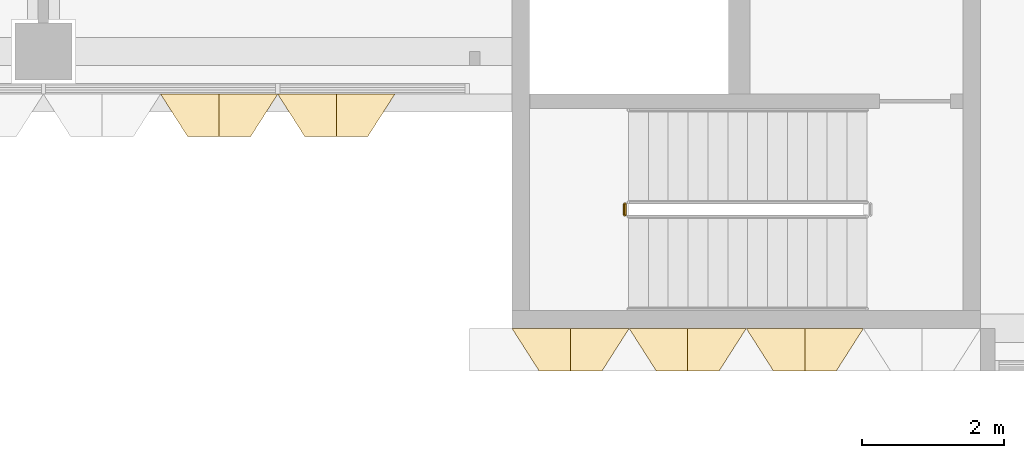
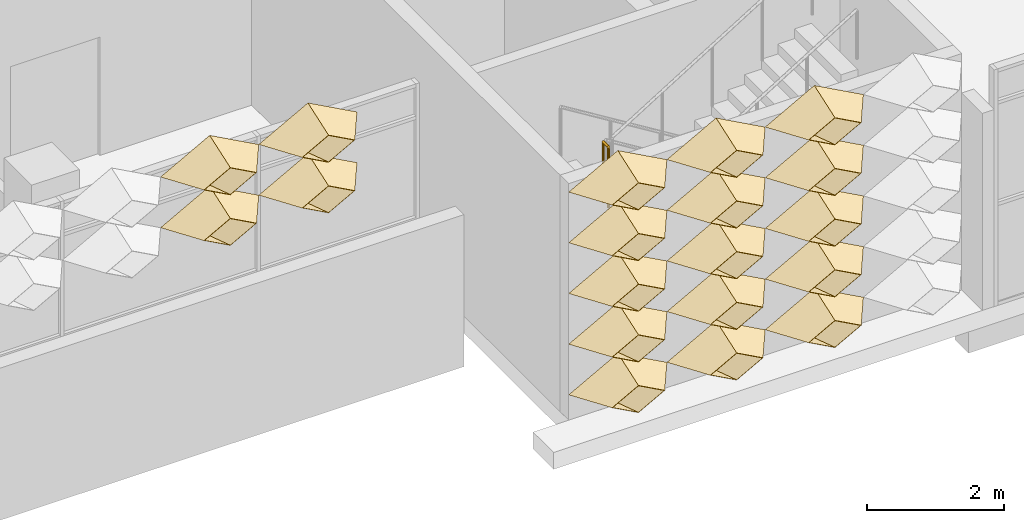
# One storey, part 62 of 102: 19 coverings, 1 railing.
"""IFC4 building model written with IfcOpenShell, lengths in metres."""

from ifc_helpers import new_model, entity, si_unit, direction, frame, origin, origin_2d, place, context, subcontext, project, spatial, circle, extrude, material, layer, layer_set, type_object, element, save


model = new_model("IFC4")

# Units and contexts
model_context = context("Model", 3, precision=1e-05, world=origin(), true_north=direction((0.0, 1.0)))
body_context = subcontext(model_context, "Body", "Model", "MODEL_VIEW")
ifc_project = project(units=[si_unit("LENGTHUNIT", "METRE"), si_unit("AREAUNIT", "SQUARE_METRE"), si_unit("VOLUMEUNIT", "CUBIC_METRE"), si_unit("PLANEANGLEUNIT", "RADIAN"), si_unit("MASSUNIT", "GRAM", prefix="KILO")], contexts=[model_context])

# Site, building, storey
site_placement = place(None, origin())
site = spatial("IfcSite", under=ifc_project, at=site_placement, CompositionType="ELEMENT")
building_placement = place(site_placement, origin())
building = spatial("IfcBuilding", under=site, at=building_placement, Name="Lantern Court Research Institute", CompositionType="ELEMENT")
storey_placement = place(building_placement, frame((0.0, 0.0, 9.89990234375)))
storey = spatial("IfcBuildingStorey", under=building, at=storey_placement, Name="L02", CompositionType="ELEMENT", Elevation=9.89990234375)

# Coverings
ifc_material_1 = material(Name="Anodised aluminium", Category="aluminium")
ifc_layer = layer(ifc_material_1, 0.01611328125)
ifc_layer_set = layer_set([ifc_layer], Name="Anodised aluminium")
covering_type = type_object("IfcCoveringType", Name="Fin cassette 1650 x 900 x 600 aluminium", PredefinedType="CLADDING", material=ifc_layer_set)
covering_1_placement = place(storey_placement, frame((48.675048828125, -4.5, 3.150146484375), z_axis=(0.0, -1.0, 0.0), x_axis=(1.0, 0.0, 0.0)))
cartesian_point_1 = entity("IfcCartesianPoint", [0.824951171875, 0.0])
cartesian_point_2 = entity("IfcCartesianPoint", [0.79150390625, 0.0])
cartesian_point_3 = entity("IfcCartesianPoint", [0.44189453125, 0.0])
cartesian_point_4 = entity("IfcCartesianPoint", [0.43359375, 0.0])
element("IfcCovering", 1, at=covering_1_placement, inside=storey, type_object=covering_type, Name="Fin cassette V4S-L02 4.30", PredefinedType="CLADDING", context=body_context, shape_type="SweptSolid", body=[
    entity("IfcExtrudedAreaSolidTapered", entity("IfcArbitraryProfileDefWithVoids", "AREA", None, entity("IfcPolyline", [cartesian_point_1, entity("IfcCartesianPoint", [0.0, 0.449951171875]), entity("IfcCartesianPoint", [-0.824951171875, 0.0]), entity("IfcCartesianPoint", [0.0, -0.449951171875]), cartesian_point_1]), [entity("IfcPolyline", [cartesian_point_2, entity("IfcCartesianPoint", [0.0, 0.431884765625]), entity("IfcCartesianPoint", [-0.79150390625, 0.0]), entity("IfcCartesianPoint", [0.0, -0.431884765625]), cartesian_point_2])]), entity("IfcAxis2Placement3D", entity("IfcCartesianPoint", [0.0, 0.0, 0.0])), entity("IfcDirection", [0.0, 0.0, 1.0]), 0.60009765625, entity("IfcArbitraryProfileDefWithVoids", "AREA", None, entity("IfcPolyline", [cartesian_point_3, entity("IfcCartesianPoint", [0.0, 0.240966796875]), entity("IfcCartesianPoint", [-0.44189453125, 0.0]), entity("IfcCartesianPoint", [0.0, -0.240966796875]), cartesian_point_3]), [entity("IfcPolyline", [cartesian_point_4, entity("IfcCartesianPoint", [0.0, 0.236572265625]), entity("IfcCartesianPoint", [-0.43359375, 0.0]), entity("IfcCartesianPoint", [0.0, -0.236572265625]), cartesian_point_4])])),
])
covering_2_placement = place(storey_placement, frame((50.324951171875, -4.5, 3.150146484375), z_axis=(0.0, -1.0, 0.0), x_axis=(1.0, 0.0, 0.0)))
cartesian_point_5 = entity("IfcCartesianPoint", [0.824951171875, 0.0])
cartesian_point_6 = entity("IfcCartesianPoint", [0.79150390625, 0.0])
cartesian_point_7 = entity("IfcCartesianPoint", [0.44189453125, 0.0])
cartesian_point_8 = entity("IfcCartesianPoint", [0.43359375, 0.0])
element("IfcCovering", 2, at=covering_2_placement, inside=storey, type_object=covering_type, Name="Fin cassette V4S-L02 4.31", PredefinedType="CLADDING", context=body_context, shape_type="SweptSolid", body=[
    entity("IfcExtrudedAreaSolidTapered", entity("IfcArbitraryProfileDefWithVoids", "AREA", None, entity("IfcPolyline", [cartesian_point_5, entity("IfcCartesianPoint", [0.0, 0.449951171875]), entity("IfcCartesianPoint", [-0.824951171875, 0.0]), entity("IfcCartesianPoint", [0.0, -0.449951171875]), cartesian_point_5]), [entity("IfcPolyline", [cartesian_point_6, entity("IfcCartesianPoint", [0.0, 0.431884765625]), entity("IfcCartesianPoint", [-0.79150390625, 0.0]), entity("IfcCartesianPoint", [0.0, -0.431884765625]), cartesian_point_6])]), entity("IfcAxis2Placement3D", entity("IfcCartesianPoint", [0.0, 0.0, 0.0])), entity("IfcDirection", [0.0, 0.0, 1.0]), 0.60009765625, entity("IfcArbitraryProfileDefWithVoids", "AREA", None, entity("IfcPolyline", [cartesian_point_7, entity("IfcCartesianPoint", [0.0, 0.240966796875]), entity("IfcCartesianPoint", [-0.44189453125, 0.0]), entity("IfcCartesianPoint", [0.0, -0.240966796875]), cartesian_point_7]), [entity("IfcPolyline", [cartesian_point_8, entity("IfcCartesianPoint", [0.0, 0.236572265625]), entity("IfcCartesianPoint", [-0.43359375, 0.0]), entity("IfcCartesianPoint", [0.0, -0.236572265625]), cartesian_point_8])])),
])
covering_3_placement = place(storey_placement, frame((48.675048828125, -4.5, 4.050048828125), z_axis=(0.0, -1.0, 0.0), x_axis=(1.0, 0.0, 0.0)))
cartesian_point_9 = entity("IfcCartesianPoint", [0.824951171875, 0.0])
cartesian_point_10 = entity("IfcCartesianPoint", [0.79150390625, 0.0])
cartesian_point_11 = entity("IfcCartesianPoint", [0.44189453125, 0.0])
cartesian_point_12 = entity("IfcCartesianPoint", [0.43359375, 0.0])
element("IfcCovering", 3, at=covering_3_placement, inside=storey, type_object=covering_type, Name="Fin cassette V4S-L02 5.30", PredefinedType="CLADDING", context=body_context, shape_type="SweptSolid", body=[
    entity("IfcExtrudedAreaSolidTapered", entity("IfcArbitraryProfileDefWithVoids", "AREA", None, entity("IfcPolyline", [cartesian_point_9, entity("IfcCartesianPoint", [0.0, 0.449951171875]), entity("IfcCartesianPoint", [-0.824951171875, 0.0]), entity("IfcCartesianPoint", [0.0, -0.449951171875]), cartesian_point_9]), [entity("IfcPolyline", [cartesian_point_10, entity("IfcCartesianPoint", [0.0, 0.431884765625]), entity("IfcCartesianPoint", [-0.79150390625, 0.0]), entity("IfcCartesianPoint", [0.0, -0.431884765625]), cartesian_point_10])]), entity("IfcAxis2Placement3D", entity("IfcCartesianPoint", [0.0, 0.0, 0.0])), entity("IfcDirection", [0.0, 0.0, 1.0]), 0.60009765625, entity("IfcArbitraryProfileDefWithVoids", "AREA", None, entity("IfcPolyline", [cartesian_point_11, entity("IfcCartesianPoint", [0.0, 0.240966796875]), entity("IfcCartesianPoint", [-0.44189453125, 0.0]), entity("IfcCartesianPoint", [0.0, -0.240966796875]), cartesian_point_11]), [entity("IfcPolyline", [cartesian_point_12, entity("IfcCartesianPoint", [0.0, 0.236572265625]), entity("IfcCartesianPoint", [-0.43359375, 0.0]), entity("IfcCartesianPoint", [0.0, -0.236572265625]), cartesian_point_12])])),
])
covering_4_placement = place(storey_placement, frame((50.324951171875, -4.5, 4.050048828125), z_axis=(0.0, -1.0, 0.0), x_axis=(1.0, 0.0, 0.0)))
cartesian_point_13 = entity("IfcCartesianPoint", [0.824951171875, 0.0])
cartesian_point_14 = entity("IfcCartesianPoint", [0.79150390625, 0.0])
cartesian_point_15 = entity("IfcCartesianPoint", [0.44189453125, 0.0])
cartesian_point_16 = entity("IfcCartesianPoint", [0.43359375, 0.0])
element("IfcCovering", 4, at=covering_4_placement, inside=storey, type_object=covering_type, Name="Fin cassette V4S-L02 5.31", PredefinedType="CLADDING", context=body_context, shape_type="SweptSolid", body=[
    entity("IfcExtrudedAreaSolidTapered", entity("IfcArbitraryProfileDefWithVoids", "AREA", None, entity("IfcPolyline", [cartesian_point_13, entity("IfcCartesianPoint", [0.0, 0.449951171875]), entity("IfcCartesianPoint", [-0.824951171875, 0.0]), entity("IfcCartesianPoint", [0.0, -0.449951171875]), cartesian_point_13]), [entity("IfcPolyline", [cartesian_point_14, entity("IfcCartesianPoint", [0.0, 0.431884765625]), entity("IfcCartesianPoint", [-0.79150390625, 0.0]), entity("IfcCartesianPoint", [0.0, -0.431884765625]), cartesian_point_14])]), entity("IfcAxis2Placement3D", entity("IfcCartesianPoint", [0.0, 0.0, 0.0])), entity("IfcDirection", [0.0, 0.0, 1.0]), 0.60009765625, entity("IfcArbitraryProfileDefWithVoids", "AREA", None, entity("IfcPolyline", [cartesian_point_15, entity("IfcCartesianPoint", [0.0, 0.240966796875]), entity("IfcCartesianPoint", [-0.44189453125, 0.0]), entity("IfcCartesianPoint", [0.0, -0.240966796875]), cartesian_point_15]), [entity("IfcPolyline", [cartesian_point_16, entity("IfcCartesianPoint", [0.0, 0.236572265625]), entity("IfcCartesianPoint", [-0.43359375, 0.0]), entity("IfcCartesianPoint", [0.0, -0.236572265625]), cartesian_point_16])])),
])
covering_5_placement = place(storey_placement, frame((53.625, -7.800048828125, 0.4501953125), z_axis=(0.0, -1.0, 0.0), x_axis=(1.0, 0.0, 0.0)))
cartesian_point_17 = entity("IfcCartesianPoint", [0.824951171875, 0.0])
cartesian_point_18 = entity("IfcCartesianPoint", [0.79150390625, 0.0])
cartesian_point_19 = entity("IfcCartesianPoint", [0.44189453125, 0.0])
cartesian_point_20 = entity("IfcCartesianPoint", [0.43359375, 0.0])
element("IfcCovering", 5, at=covering_5_placement, inside=storey, type_object=covering_type, Name="Fin cassette V5S-L02 1.33", PredefinedType="CLADDING", context=body_context, shape_type="SweptSolid", body=[
    entity("IfcExtrudedAreaSolidTapered", entity("IfcArbitraryProfileDefWithVoids", "AREA", None, entity("IfcPolyline", [cartesian_point_17, entity("IfcCartesianPoint", [0.0, 0.449951171875]), entity("IfcCartesianPoint", [-0.824951171875, 0.0]), entity("IfcCartesianPoint", [0.0, -0.449951171875]), cartesian_point_17]), [entity("IfcPolyline", [cartesian_point_18, entity("IfcCartesianPoint", [0.0, 0.431884765625]), entity("IfcCartesianPoint", [-0.79150390625, 0.0]), entity("IfcCartesianPoint", [0.0, -0.431884765625]), cartesian_point_18])]), entity("IfcAxis2Placement3D", entity("IfcCartesianPoint", [0.0, 0.0, 0.0])), entity("IfcDirection", [0.0, 0.0, 1.0]), 0.60009765625, entity("IfcArbitraryProfileDefWithVoids", "AREA", None, entity("IfcPolyline", [cartesian_point_19, entity("IfcCartesianPoint", [0.0, 0.240966796875]), entity("IfcCartesianPoint", [-0.44189453125, 0.0]), entity("IfcCartesianPoint", [0.0, -0.240966796875]), cartesian_point_19]), [entity("IfcPolyline", [cartesian_point_20, entity("IfcCartesianPoint", [0.0, 0.236572265625]), entity("IfcCartesianPoint", [-0.43359375, 0.0]), entity("IfcCartesianPoint", [0.0, -0.236572265625]), cartesian_point_20])])),
])
covering_6_placement = place(storey_placement, frame((55.27490234375, -7.800048828125, 0.4501953125), z_axis=(0.0, -1.0, 0.0), x_axis=(1.0, 0.0, 0.0)))
cartesian_point_21 = entity("IfcCartesianPoint", [0.824951171875, 0.0])
cartesian_point_22 = entity("IfcCartesianPoint", [0.79150390625, 0.0])
cartesian_point_23 = entity("IfcCartesianPoint", [0.44189453125, 0.0])
cartesian_point_24 = entity("IfcCartesianPoint", [0.43359375, 0.0])
element("IfcCovering", 6, at=covering_6_placement, inside=storey, type_object=covering_type, Name="Fin cassette V5S-L02 1.34", PredefinedType="CLADDING", context=body_context, shape_type="SweptSolid", body=[
    entity("IfcExtrudedAreaSolidTapered", entity("IfcArbitraryProfileDefWithVoids", "AREA", None, entity("IfcPolyline", [cartesian_point_21, entity("IfcCartesianPoint", [0.0, 0.449951171875]), entity("IfcCartesianPoint", [-0.824951171875, 0.0]), entity("IfcCartesianPoint", [0.0, -0.449951171875]), cartesian_point_21]), [entity("IfcPolyline", [cartesian_point_22, entity("IfcCartesianPoint", [0.0, 0.431884765625]), entity("IfcCartesianPoint", [-0.79150390625, 0.0]), entity("IfcCartesianPoint", [0.0, -0.431884765625]), cartesian_point_22])]), entity("IfcAxis2Placement3D", entity("IfcCartesianPoint", [0.0, 0.0, 0.0])), entity("IfcDirection", [0.0, 0.0, 1.0]), 0.60009765625, entity("IfcArbitraryProfileDefWithVoids", "AREA", None, entity("IfcPolyline", [cartesian_point_23, entity("IfcCartesianPoint", [0.0, 0.240966796875]), entity("IfcCartesianPoint", [-0.44189453125, 0.0]), entity("IfcCartesianPoint", [0.0, -0.240966796875]), cartesian_point_23]), [entity("IfcPolyline", [cartesian_point_24, entity("IfcCartesianPoint", [0.0, 0.236572265625]), entity("IfcCartesianPoint", [-0.43359375, 0.0]), entity("IfcCartesianPoint", [0.0, -0.236572265625]), cartesian_point_24])])),
])
covering_7_placement = place(storey_placement, frame((56.925048828125, -7.800048828125, 0.4501953125), z_axis=(0.0, -1.0, 0.0), x_axis=(1.0, 0.0, 0.0)))
cartesian_point_25 = entity("IfcCartesianPoint", [0.824951171875, 0.0])
cartesian_point_26 = entity("IfcCartesianPoint", [0.79150390625, 0.0])
cartesian_point_27 = entity("IfcCartesianPoint", [0.44189453125, 0.0])
cartesian_point_28 = entity("IfcCartesianPoint", [0.43359375, 0.0])
element("IfcCovering", 7, at=covering_7_placement, inside=storey, type_object=covering_type, Name="Fin cassette V5S-L02 1.35", PredefinedType="CLADDING", context=body_context, shape_type="SweptSolid", body=[
    entity("IfcExtrudedAreaSolidTapered", entity("IfcArbitraryProfileDefWithVoids", "AREA", None, entity("IfcPolyline", [cartesian_point_25, entity("IfcCartesianPoint", [0.0, 0.449951171875]), entity("IfcCartesianPoint", [-0.824951171875, 0.0]), entity("IfcCartesianPoint", [0.0, -0.449951171875]), cartesian_point_25]), [entity("IfcPolyline", [cartesian_point_26, entity("IfcCartesianPoint", [0.0, 0.431884765625]), entity("IfcCartesianPoint", [-0.79150390625, 0.0]), entity("IfcCartesianPoint", [0.0, -0.431884765625]), cartesian_point_26])]), entity("IfcAxis2Placement3D", entity("IfcCartesianPoint", [0.0, 0.0, 0.0])), entity("IfcDirection", [0.0, 0.0, 1.0]), 0.60009765625, entity("IfcArbitraryProfileDefWithVoids", "AREA", None, entity("IfcPolyline", [cartesian_point_27, entity("IfcCartesianPoint", [0.0, 0.240966796875]), entity("IfcCartesianPoint", [-0.44189453125, 0.0]), entity("IfcCartesianPoint", [0.0, -0.240966796875]), cartesian_point_27]), [entity("IfcPolyline", [cartesian_point_28, entity("IfcCartesianPoint", [0.0, 0.236572265625]), entity("IfcCartesianPoint", [-0.43359375, 0.0]), entity("IfcCartesianPoint", [0.0, -0.236572265625]), cartesian_point_28])])),
])
covering_8_placement = place(storey_placement, frame((53.625, -7.800048828125, 1.35009765625), z_axis=(0.0, -1.0, 0.0), x_axis=(1.0, 0.0, 0.0)))
cartesian_point_29 = entity("IfcCartesianPoint", [0.824951171875, 0.0])
cartesian_point_30 = entity("IfcCartesianPoint", [0.79150390625, 0.0])
cartesian_point_31 = entity("IfcCartesianPoint", [0.44189453125, 0.0])
cartesian_point_32 = entity("IfcCartesianPoint", [0.43359375, 0.0])
element("IfcCovering", 8, at=covering_8_placement, inside=storey, type_object=covering_type, Name="Fin cassette V5S-L02 2.33", PredefinedType="CLADDING", context=body_context, shape_type="SweptSolid", body=[
    entity("IfcExtrudedAreaSolidTapered", entity("IfcArbitraryProfileDefWithVoids", "AREA", None, entity("IfcPolyline", [cartesian_point_29, entity("IfcCartesianPoint", [0.0, 0.449951171875]), entity("IfcCartesianPoint", [-0.824951171875, 0.0]), entity("IfcCartesianPoint", [0.0, -0.449951171875]), cartesian_point_29]), [entity("IfcPolyline", [cartesian_point_30, entity("IfcCartesianPoint", [0.0, 0.431884765625]), entity("IfcCartesianPoint", [-0.79150390625, 0.0]), entity("IfcCartesianPoint", [0.0, -0.431884765625]), cartesian_point_30])]), entity("IfcAxis2Placement3D", entity("IfcCartesianPoint", [0.0, 0.0, 0.0])), entity("IfcDirection", [0.0, 0.0, 1.0]), 0.60009765625, entity("IfcArbitraryProfileDefWithVoids", "AREA", None, entity("IfcPolyline", [cartesian_point_31, entity("IfcCartesianPoint", [0.0, 0.240966796875]), entity("IfcCartesianPoint", [-0.44189453125, 0.0]), entity("IfcCartesianPoint", [0.0, -0.240966796875]), cartesian_point_31]), [entity("IfcPolyline", [cartesian_point_32, entity("IfcCartesianPoint", [0.0, 0.236572265625]), entity("IfcCartesianPoint", [-0.43359375, 0.0]), entity("IfcCartesianPoint", [0.0, -0.236572265625]), cartesian_point_32])])),
])
covering_9_placement = place(storey_placement, frame((55.27490234375, -7.800048828125, 1.35009765625), z_axis=(0.0, -1.0, 0.0), x_axis=(1.0, 0.0, 0.0)))
cartesian_point_33 = entity("IfcCartesianPoint", [0.824951171875, 0.0])
cartesian_point_34 = entity("IfcCartesianPoint", [0.79150390625, 0.0])
cartesian_point_35 = entity("IfcCartesianPoint", [0.44189453125, 0.0])
cartesian_point_36 = entity("IfcCartesianPoint", [0.43359375, 0.0])
element("IfcCovering", 9, at=covering_9_placement, inside=storey, type_object=covering_type, Name="Fin cassette V5S-L02 2.34", PredefinedType="CLADDING", context=body_context, shape_type="SweptSolid", body=[
    entity("IfcExtrudedAreaSolidTapered", entity("IfcArbitraryProfileDefWithVoids", "AREA", None, entity("IfcPolyline", [cartesian_point_33, entity("IfcCartesianPoint", [0.0, 0.449951171875]), entity("IfcCartesianPoint", [-0.824951171875, 0.0]), entity("IfcCartesianPoint", [0.0, -0.449951171875]), cartesian_point_33]), [entity("IfcPolyline", [cartesian_point_34, entity("IfcCartesianPoint", [0.0, 0.431884765625]), entity("IfcCartesianPoint", [-0.79150390625, 0.0]), entity("IfcCartesianPoint", [0.0, -0.431884765625]), cartesian_point_34])]), entity("IfcAxis2Placement3D", entity("IfcCartesianPoint", [0.0, 0.0, 0.0])), entity("IfcDirection", [0.0, 0.0, 1.0]), 0.60009765625, entity("IfcArbitraryProfileDefWithVoids", "AREA", None, entity("IfcPolyline", [cartesian_point_35, entity("IfcCartesianPoint", [0.0, 0.240966796875]), entity("IfcCartesianPoint", [-0.44189453125, 0.0]), entity("IfcCartesianPoint", [0.0, -0.240966796875]), cartesian_point_35]), [entity("IfcPolyline", [cartesian_point_36, entity("IfcCartesianPoint", [0.0, 0.236572265625]), entity("IfcCartesianPoint", [-0.43359375, 0.0]), entity("IfcCartesianPoint", [0.0, -0.236572265625]), cartesian_point_36])])),
])
covering_10_placement = place(storey_placement, frame((56.925048828125, -7.800048828125, 1.35009765625), z_axis=(0.0, -1.0, 0.0), x_axis=(1.0, 0.0, 0.0)))
cartesian_point_37 = entity("IfcCartesianPoint", [0.824951171875, 0.0])
cartesian_point_38 = entity("IfcCartesianPoint", [0.79150390625, 0.0])
cartesian_point_39 = entity("IfcCartesianPoint", [0.44189453125, 0.0])
cartesian_point_40 = entity("IfcCartesianPoint", [0.43359375, 0.0])
element("IfcCovering", 10, at=covering_10_placement, inside=storey, type_object=covering_type, Name="Fin cassette V5S-L02 2.35", PredefinedType="CLADDING", context=body_context, shape_type="SweptSolid", body=[
    entity("IfcExtrudedAreaSolidTapered", entity("IfcArbitraryProfileDefWithVoids", "AREA", None, entity("IfcPolyline", [cartesian_point_37, entity("IfcCartesianPoint", [0.0, 0.449951171875]), entity("IfcCartesianPoint", [-0.824951171875, 0.0]), entity("IfcCartesianPoint", [0.0, -0.449951171875]), cartesian_point_37]), [entity("IfcPolyline", [cartesian_point_38, entity("IfcCartesianPoint", [0.0, 0.431884765625]), entity("IfcCartesianPoint", [-0.79150390625, 0.0]), entity("IfcCartesianPoint", [0.0, -0.431884765625]), cartesian_point_38])]), entity("IfcAxis2Placement3D", entity("IfcCartesianPoint", [0.0, 0.0, 0.0])), entity("IfcDirection", [0.0, 0.0, 1.0]), 0.60009765625, entity("IfcArbitraryProfileDefWithVoids", "AREA", None, entity("IfcPolyline", [cartesian_point_39, entity("IfcCartesianPoint", [0.0, 0.240966796875]), entity("IfcCartesianPoint", [-0.44189453125, 0.0]), entity("IfcCartesianPoint", [0.0, -0.240966796875]), cartesian_point_39]), [entity("IfcPolyline", [cartesian_point_40, entity("IfcCartesianPoint", [0.0, 0.236572265625]), entity("IfcCartesianPoint", [-0.43359375, 0.0]), entity("IfcCartesianPoint", [0.0, -0.236572265625]), cartesian_point_40])])),
])
covering_11_placement = place(storey_placement, frame((53.625, -7.800048828125, 2.25), z_axis=(0.0, -1.0, 0.0), x_axis=(1.0, 0.0, 0.0)))
cartesian_point_41 = entity("IfcCartesianPoint", [0.824951171875, 0.0])
cartesian_point_42 = entity("IfcCartesianPoint", [0.79150390625, 0.0])
cartesian_point_43 = entity("IfcCartesianPoint", [0.44189453125, 0.0])
cartesian_point_44 = entity("IfcCartesianPoint", [0.43359375, 0.0])
element("IfcCovering", 11, at=covering_11_placement, inside=storey, type_object=covering_type, Name="Fin cassette V5S-L02 3.33", PredefinedType="CLADDING", context=body_context, shape_type="SweptSolid", body=[
    entity("IfcExtrudedAreaSolidTapered", entity("IfcArbitraryProfileDefWithVoids", "AREA", None, entity("IfcPolyline", [cartesian_point_41, entity("IfcCartesianPoint", [0.0, 0.449951171875]), entity("IfcCartesianPoint", [-0.824951171875, 0.0]), entity("IfcCartesianPoint", [0.0, -0.449951171875]), cartesian_point_41]), [entity("IfcPolyline", [cartesian_point_42, entity("IfcCartesianPoint", [0.0, 0.431884765625]), entity("IfcCartesianPoint", [-0.79150390625, 0.0]), entity("IfcCartesianPoint", [0.0, -0.431884765625]), cartesian_point_42])]), entity("IfcAxis2Placement3D", entity("IfcCartesianPoint", [0.0, 0.0, 0.0])), entity("IfcDirection", [0.0, 0.0, 1.0]), 0.60009765625, entity("IfcArbitraryProfileDefWithVoids", "AREA", None, entity("IfcPolyline", [cartesian_point_43, entity("IfcCartesianPoint", [0.0, 0.240966796875]), entity("IfcCartesianPoint", [-0.44189453125, 0.0]), entity("IfcCartesianPoint", [0.0, -0.240966796875]), cartesian_point_43]), [entity("IfcPolyline", [cartesian_point_44, entity("IfcCartesianPoint", [0.0, 0.236572265625]), entity("IfcCartesianPoint", [-0.43359375, 0.0]), entity("IfcCartesianPoint", [0.0, -0.236572265625]), cartesian_point_44])])),
])
covering_12_placement = place(storey_placement, frame((55.27490234375, -7.800048828125, 2.25), z_axis=(0.0, -1.0, 0.0), x_axis=(1.0, 0.0, 0.0)))
cartesian_point_45 = entity("IfcCartesianPoint", [0.824951171875, 0.0])
cartesian_point_46 = entity("IfcCartesianPoint", [0.79150390625, 0.0])
cartesian_point_47 = entity("IfcCartesianPoint", [0.44189453125, 0.0])
cartesian_point_48 = entity("IfcCartesianPoint", [0.43359375, 0.0])
element("IfcCovering", 12, at=covering_12_placement, inside=storey, type_object=covering_type, Name="Fin cassette V5S-L02 3.34", PredefinedType="CLADDING", context=body_context, shape_type="SweptSolid", body=[
    entity("IfcExtrudedAreaSolidTapered", entity("IfcArbitraryProfileDefWithVoids", "AREA", None, entity("IfcPolyline", [cartesian_point_45, entity("IfcCartesianPoint", [0.0, 0.449951171875]), entity("IfcCartesianPoint", [-0.824951171875, 0.0]), entity("IfcCartesianPoint", [0.0, -0.449951171875]), cartesian_point_45]), [entity("IfcPolyline", [cartesian_point_46, entity("IfcCartesianPoint", [0.0, 0.431884765625]), entity("IfcCartesianPoint", [-0.79150390625, 0.0]), entity("IfcCartesianPoint", [0.0, -0.431884765625]), cartesian_point_46])]), entity("IfcAxis2Placement3D", entity("IfcCartesianPoint", [0.0, 0.0, 0.0])), entity("IfcDirection", [0.0, 0.0, 1.0]), 0.60009765625, entity("IfcArbitraryProfileDefWithVoids", "AREA", None, entity("IfcPolyline", [cartesian_point_47, entity("IfcCartesianPoint", [0.0, 0.240966796875]), entity("IfcCartesianPoint", [-0.44189453125, 0.0]), entity("IfcCartesianPoint", [0.0, -0.240966796875]), cartesian_point_47]), [entity("IfcPolyline", [cartesian_point_48, entity("IfcCartesianPoint", [0.0, 0.236572265625]), entity("IfcCartesianPoint", [-0.43359375, 0.0]), entity("IfcCartesianPoint", [0.0, -0.236572265625]), cartesian_point_48])])),
])
covering_13_placement = place(storey_placement, frame((56.925048828125, -7.800048828125, 2.25), z_axis=(0.0, -1.0, 0.0), x_axis=(1.0, 0.0, 0.0)))
cartesian_point_49 = entity("IfcCartesianPoint", [0.824951171875, 0.0])
cartesian_point_50 = entity("IfcCartesianPoint", [0.79150390625, 0.0])
cartesian_point_51 = entity("IfcCartesianPoint", [0.44189453125, 0.0])
cartesian_point_52 = entity("IfcCartesianPoint", [0.43359375, 0.0])
element("IfcCovering", 13, at=covering_13_placement, inside=storey, type_object=covering_type, Name="Fin cassette V5S-L02 3.35", PredefinedType="CLADDING", context=body_context, shape_type="SweptSolid", body=[
    entity("IfcExtrudedAreaSolidTapered", entity("IfcArbitraryProfileDefWithVoids", "AREA", None, entity("IfcPolyline", [cartesian_point_49, entity("IfcCartesianPoint", [0.0, 0.449951171875]), entity("IfcCartesianPoint", [-0.824951171875, 0.0]), entity("IfcCartesianPoint", [0.0, -0.449951171875]), cartesian_point_49]), [entity("IfcPolyline", [cartesian_point_50, entity("IfcCartesianPoint", [0.0, 0.431884765625]), entity("IfcCartesianPoint", [-0.79150390625, 0.0]), entity("IfcCartesianPoint", [0.0, -0.431884765625]), cartesian_point_50])]), entity("IfcAxis2Placement3D", entity("IfcCartesianPoint", [0.0, 0.0, 0.0])), entity("IfcDirection", [0.0, 0.0, 1.0]), 0.60009765625, entity("IfcArbitraryProfileDefWithVoids", "AREA", None, entity("IfcPolyline", [cartesian_point_51, entity("IfcCartesianPoint", [0.0, 0.240966796875]), entity("IfcCartesianPoint", [-0.44189453125, 0.0]), entity("IfcCartesianPoint", [0.0, -0.240966796875]), cartesian_point_51]), [entity("IfcPolyline", [cartesian_point_52, entity("IfcCartesianPoint", [0.0, 0.236572265625]), entity("IfcCartesianPoint", [-0.43359375, 0.0]), entity("IfcCartesianPoint", [0.0, -0.236572265625]), cartesian_point_52])])),
])
covering_14_placement = place(storey_placement, frame((53.625, -7.800048828125, 3.150146484375), z_axis=(0.0, -1.0, 0.0), x_axis=(1.0, 0.0, 0.0)))
cartesian_point_53 = entity("IfcCartesianPoint", [0.824951171875, 0.0])
cartesian_point_54 = entity("IfcCartesianPoint", [0.79150390625, 0.0])
cartesian_point_55 = entity("IfcCartesianPoint", [0.44189453125, 0.0])
cartesian_point_56 = entity("IfcCartesianPoint", [0.43359375, 0.0])
element("IfcCovering", 14, at=covering_14_placement, inside=storey, type_object=covering_type, Name="Fin cassette V5S-L02 4.33", PredefinedType="CLADDING", context=body_context, shape_type="SweptSolid", body=[
    entity("IfcExtrudedAreaSolidTapered", entity("IfcArbitraryProfileDefWithVoids", "AREA", None, entity("IfcPolyline", [cartesian_point_53, entity("IfcCartesianPoint", [0.0, 0.449951171875]), entity("IfcCartesianPoint", [-0.824951171875, 0.0]), entity("IfcCartesianPoint", [0.0, -0.449951171875]), cartesian_point_53]), [entity("IfcPolyline", [cartesian_point_54, entity("IfcCartesianPoint", [0.0, 0.431884765625]), entity("IfcCartesianPoint", [-0.79150390625, 0.0]), entity("IfcCartesianPoint", [0.0, -0.431884765625]), cartesian_point_54])]), entity("IfcAxis2Placement3D", entity("IfcCartesianPoint", [0.0, 0.0, 0.0])), entity("IfcDirection", [0.0, 0.0, 1.0]), 0.60009765625, entity("IfcArbitraryProfileDefWithVoids", "AREA", None, entity("IfcPolyline", [cartesian_point_55, entity("IfcCartesianPoint", [0.0, 0.240966796875]), entity("IfcCartesianPoint", [-0.44189453125, 0.0]), entity("IfcCartesianPoint", [0.0, -0.240966796875]), cartesian_point_55]), [entity("IfcPolyline", [cartesian_point_56, entity("IfcCartesianPoint", [0.0, 0.236572265625]), entity("IfcCartesianPoint", [-0.43359375, 0.0]), entity("IfcCartesianPoint", [0.0, -0.236572265625]), cartesian_point_56])])),
])
covering_15_placement = place(storey_placement, frame((55.27490234375, -7.800048828125, 3.150146484375), z_axis=(0.0, -1.0, 0.0), x_axis=(1.0, 0.0, 0.0)))
cartesian_point_57 = entity("IfcCartesianPoint", [0.824951171875, 0.0])
cartesian_point_58 = entity("IfcCartesianPoint", [0.79150390625, 0.0])
cartesian_point_59 = entity("IfcCartesianPoint", [0.44189453125, 0.0])
cartesian_point_60 = entity("IfcCartesianPoint", [0.43359375, 0.0])
element("IfcCovering", 15, at=covering_15_placement, inside=storey, type_object=covering_type, Name="Fin cassette V5S-L02 4.34", PredefinedType="CLADDING", context=body_context, shape_type="SweptSolid", body=[
    entity("IfcExtrudedAreaSolidTapered", entity("IfcArbitraryProfileDefWithVoids", "AREA", None, entity("IfcPolyline", [cartesian_point_57, entity("IfcCartesianPoint", [0.0, 0.449951171875]), entity("IfcCartesianPoint", [-0.824951171875, 0.0]), entity("IfcCartesianPoint", [0.0, -0.449951171875]), cartesian_point_57]), [entity("IfcPolyline", [cartesian_point_58, entity("IfcCartesianPoint", [0.0, 0.431884765625]), entity("IfcCartesianPoint", [-0.79150390625, 0.0]), entity("IfcCartesianPoint", [0.0, -0.431884765625]), cartesian_point_58])]), entity("IfcAxis2Placement3D", entity("IfcCartesianPoint", [0.0, 0.0, 0.0])), entity("IfcDirection", [0.0, 0.0, 1.0]), 0.60009765625, entity("IfcArbitraryProfileDefWithVoids", "AREA", None, entity("IfcPolyline", [cartesian_point_59, entity("IfcCartesianPoint", [0.0, 0.240966796875]), entity("IfcCartesianPoint", [-0.44189453125, 0.0]), entity("IfcCartesianPoint", [0.0, -0.240966796875]), cartesian_point_59]), [entity("IfcPolyline", [cartesian_point_60, entity("IfcCartesianPoint", [0.0, 0.236572265625]), entity("IfcCartesianPoint", [-0.43359375, 0.0]), entity("IfcCartesianPoint", [0.0, -0.236572265625]), cartesian_point_60])])),
])
covering_16_placement = place(storey_placement, frame((56.925048828125, -7.800048828125, 3.150146484375), z_axis=(0.0, -1.0, 0.0), x_axis=(1.0, 0.0, 0.0)))
cartesian_point_61 = entity("IfcCartesianPoint", [0.824951171875, 0.0])
cartesian_point_62 = entity("IfcCartesianPoint", [0.79150390625, 0.0])
cartesian_point_63 = entity("IfcCartesianPoint", [0.44189453125, 0.0])
cartesian_point_64 = entity("IfcCartesianPoint", [0.43359375, 0.0])
element("IfcCovering", 16, at=covering_16_placement, inside=storey, type_object=covering_type, Name="Fin cassette V5S-L02 4.35", PredefinedType="CLADDING", context=body_context, shape_type="SweptSolid", body=[
    entity("IfcExtrudedAreaSolidTapered", entity("IfcArbitraryProfileDefWithVoids", "AREA", None, entity("IfcPolyline", [cartesian_point_61, entity("IfcCartesianPoint", [0.0, 0.449951171875]), entity("IfcCartesianPoint", [-0.824951171875, 0.0]), entity("IfcCartesianPoint", [0.0, -0.449951171875]), cartesian_point_61]), [entity("IfcPolyline", [cartesian_point_62, entity("IfcCartesianPoint", [0.0, 0.431884765625]), entity("IfcCartesianPoint", [-0.79150390625, 0.0]), entity("IfcCartesianPoint", [0.0, -0.431884765625]), cartesian_point_62])]), entity("IfcAxis2Placement3D", entity("IfcCartesianPoint", [0.0, 0.0, 0.0])), entity("IfcDirection", [0.0, 0.0, 1.0]), 0.60009765625, entity("IfcArbitraryProfileDefWithVoids", "AREA", None, entity("IfcPolyline", [cartesian_point_63, entity("IfcCartesianPoint", [0.0, 0.240966796875]), entity("IfcCartesianPoint", [-0.44189453125, 0.0]), entity("IfcCartesianPoint", [0.0, -0.240966796875]), cartesian_point_63]), [entity("IfcPolyline", [cartesian_point_64, entity("IfcCartesianPoint", [0.0, 0.236572265625]), entity("IfcCartesianPoint", [-0.43359375, 0.0]), entity("IfcCartesianPoint", [0.0, -0.236572265625]), cartesian_point_64])])),
])
covering_17_placement = place(storey_placement, frame((53.625, -7.800048828125, 4.050048828125), z_axis=(0.0, -1.0, 0.0), x_axis=(1.0, 0.0, 0.0)))
cartesian_point_65 = entity("IfcCartesianPoint", [0.824951171875, 0.0])
cartesian_point_66 = entity("IfcCartesianPoint", [0.79150390625, 0.0])
cartesian_point_67 = entity("IfcCartesianPoint", [0.44189453125, 0.0])
cartesian_point_68 = entity("IfcCartesianPoint", [0.43359375, 0.0])
element("IfcCovering", 17, at=covering_17_placement, inside=storey, type_object=covering_type, Name="Fin cassette V5S-L02 5.33", PredefinedType="CLADDING", context=body_context, shape_type="SweptSolid", body=[
    entity("IfcExtrudedAreaSolidTapered", entity("IfcArbitraryProfileDefWithVoids", "AREA", None, entity("IfcPolyline", [cartesian_point_65, entity("IfcCartesianPoint", [0.0, 0.449951171875]), entity("IfcCartesianPoint", [-0.824951171875, 0.0]), entity("IfcCartesianPoint", [0.0, -0.449951171875]), cartesian_point_65]), [entity("IfcPolyline", [cartesian_point_66, entity("IfcCartesianPoint", [0.0, 0.431884765625]), entity("IfcCartesianPoint", [-0.79150390625, 0.0]), entity("IfcCartesianPoint", [0.0, -0.431884765625]), cartesian_point_66])]), entity("IfcAxis2Placement3D", entity("IfcCartesianPoint", [0.0, 0.0, 0.0])), entity("IfcDirection", [0.0, 0.0, 1.0]), 0.60009765625, entity("IfcArbitraryProfileDefWithVoids", "AREA", None, entity("IfcPolyline", [cartesian_point_67, entity("IfcCartesianPoint", [0.0, 0.240966796875]), entity("IfcCartesianPoint", [-0.44189453125, 0.0]), entity("IfcCartesianPoint", [0.0, -0.240966796875]), cartesian_point_67]), [entity("IfcPolyline", [cartesian_point_68, entity("IfcCartesianPoint", [0.0, 0.236572265625]), entity("IfcCartesianPoint", [-0.43359375, 0.0]), entity("IfcCartesianPoint", [0.0, -0.236572265625]), cartesian_point_68])])),
])
covering_18_placement = place(storey_placement, frame((55.27490234375, -7.800048828125, 4.050048828125), z_axis=(0.0, -1.0, 0.0), x_axis=(1.0, 0.0, 0.0)))
cartesian_point_69 = entity("IfcCartesianPoint", [0.824951171875, 0.0])
cartesian_point_70 = entity("IfcCartesianPoint", [0.79150390625, 0.0])
cartesian_point_71 = entity("IfcCartesianPoint", [0.44189453125, 0.0])
cartesian_point_72 = entity("IfcCartesianPoint", [0.43359375, 0.0])
element("IfcCovering", 18, at=covering_18_placement, inside=storey, type_object=covering_type, Name="Fin cassette V5S-L02 5.34", PredefinedType="CLADDING", context=body_context, shape_type="SweptSolid", body=[
    entity("IfcExtrudedAreaSolidTapered", entity("IfcArbitraryProfileDefWithVoids", "AREA", None, entity("IfcPolyline", [cartesian_point_69, entity("IfcCartesianPoint", [0.0, 0.449951171875]), entity("IfcCartesianPoint", [-0.824951171875, 0.0]), entity("IfcCartesianPoint", [0.0, -0.449951171875]), cartesian_point_69]), [entity("IfcPolyline", [cartesian_point_70, entity("IfcCartesianPoint", [0.0, 0.431884765625]), entity("IfcCartesianPoint", [-0.79150390625, 0.0]), entity("IfcCartesianPoint", [0.0, -0.431884765625]), cartesian_point_70])]), entity("IfcAxis2Placement3D", entity("IfcCartesianPoint", [0.0, 0.0, 0.0])), entity("IfcDirection", [0.0, 0.0, 1.0]), 0.60009765625, entity("IfcArbitraryProfileDefWithVoids", "AREA", None, entity("IfcPolyline", [cartesian_point_71, entity("IfcCartesianPoint", [0.0, 0.240966796875]), entity("IfcCartesianPoint", [-0.44189453125, 0.0]), entity("IfcCartesianPoint", [0.0, -0.240966796875]), cartesian_point_71]), [entity("IfcPolyline", [cartesian_point_72, entity("IfcCartesianPoint", [0.0, 0.236572265625]), entity("IfcCartesianPoint", [-0.43359375, 0.0]), entity("IfcCartesianPoint", [0.0, -0.236572265625]), cartesian_point_72])])),
])
covering_19_placement = place(storey_placement, frame((56.925048828125, -7.800048828125, 4.050048828125), z_axis=(0.0, -1.0, 0.0), x_axis=(1.0, 0.0, 0.0)))
cartesian_point_73 = entity("IfcCartesianPoint", [0.824951171875, 0.0])
cartesian_point_74 = entity("IfcCartesianPoint", [0.79150390625, 0.0])
cartesian_point_75 = entity("IfcCartesianPoint", [0.44189453125, 0.0])
cartesian_point_76 = entity("IfcCartesianPoint", [0.43359375, 0.0])
element("IfcCovering", 19, at=covering_19_placement, inside=storey, type_object=covering_type, Name="Fin cassette V5S-L02 5.35", PredefinedType="CLADDING", context=body_context, shape_type="SweptSolid", body=[
    entity("IfcExtrudedAreaSolidTapered", entity("IfcArbitraryProfileDefWithVoids", "AREA", None, entity("IfcPolyline", [cartesian_point_73, entity("IfcCartesianPoint", [0.0, 0.449951171875]), entity("IfcCartesianPoint", [-0.824951171875, 0.0]), entity("IfcCartesianPoint", [0.0, -0.449951171875]), cartesian_point_73]), [entity("IfcPolyline", [cartesian_point_74, entity("IfcCartesianPoint", [0.0, 0.431884765625]), entity("IfcCartesianPoint", [-0.79150390625, 0.0]), entity("IfcCartesianPoint", [0.0, -0.431884765625]), cartesian_point_74])]), entity("IfcAxis2Placement3D", entity("IfcCartesianPoint", [0.0, 0.0, 0.0])), entity("IfcDirection", [0.0, 0.0, 1.0]), 0.60009765625, entity("IfcArbitraryProfileDefWithVoids", "AREA", None, entity("IfcPolyline", [cartesian_point_75, entity("IfcCartesianPoint", [0.0, 0.240966796875]), entity("IfcCartesianPoint", [-0.44189453125, 0.0]), entity("IfcCartesianPoint", [0.0, -0.240966796875]), cartesian_point_75]), [entity("IfcPolyline", [cartesian_point_76, entity("IfcCartesianPoint", [0.0, 0.236572265625]), entity("IfcCartesianPoint", [-0.43359375, 0.0]), entity("IfcCartesianPoint", [0.0, -0.236572265625]), cartesian_point_76])])),
])

# Railing
ifc_material_2 = material(Name="Structural steel S355", Category="steel")
railing_type = type_object("IfcRailingType", Name="Stair guard 1100 steel", PredefinedType="GUARDRAIL", material=ifc_material_2)
railing_placement = place(storey_placement, frame((54.389892578125, -6.050048828125, 2.25)))
element("IfcRailing", 20, at=railing_placement, inside=storey, type_object=railing_type, Name="L02 ST-T1 stair guard 2", PredefinedType="GUARDRAIL", context=body_context, shape_type="SweptSolid", body=[
    extrude(circle(Radius=0.02392578125, at=origin_2d()), frame((0.0, 0.0, 1.076171875), z_axis=(0.0, -1.0, 0.0), x_axis=(1.0, 0.0, 0.0)), (0.0, 0.0, 1.0), 0.14990234375),
    extrude(circle(Radius=0.02099609375, at=origin_2d()), origin(), (0.0, 0.0, 1.0), 1.052001953125),
    extrude(circle(Radius=0.02099609375, at=origin_2d()), frame((0.0, -0.14990234375, 0.0)), (0.0, 0.0, 1.0), 1.052001953125),
])

save(model, "model.ifc")
